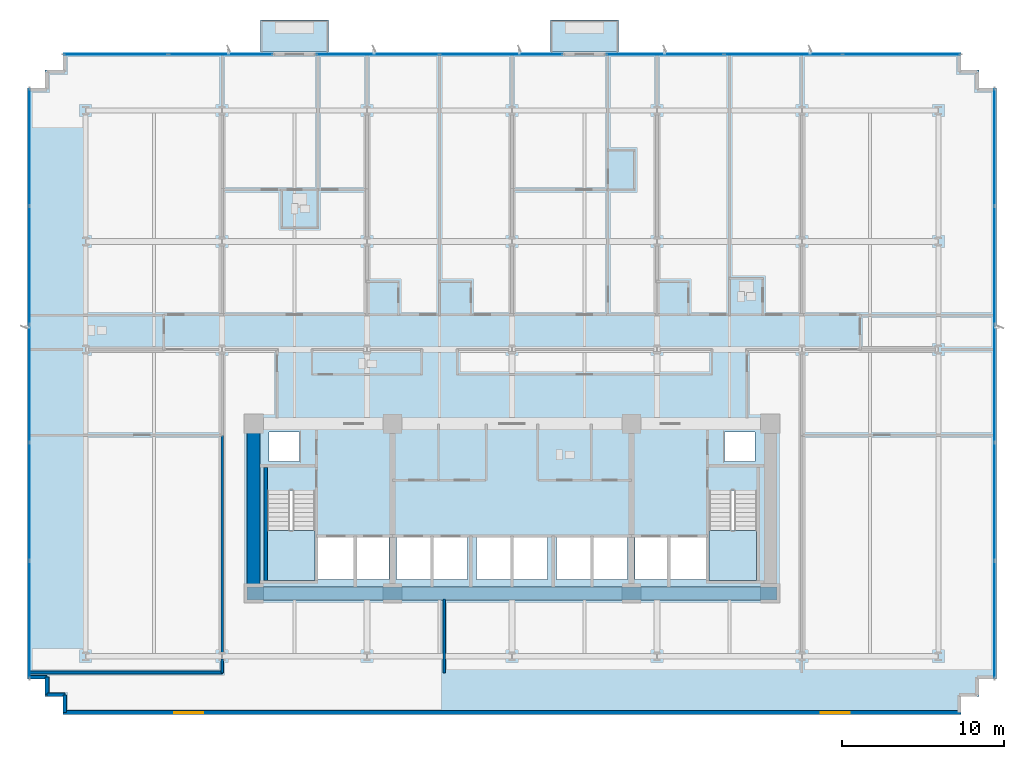
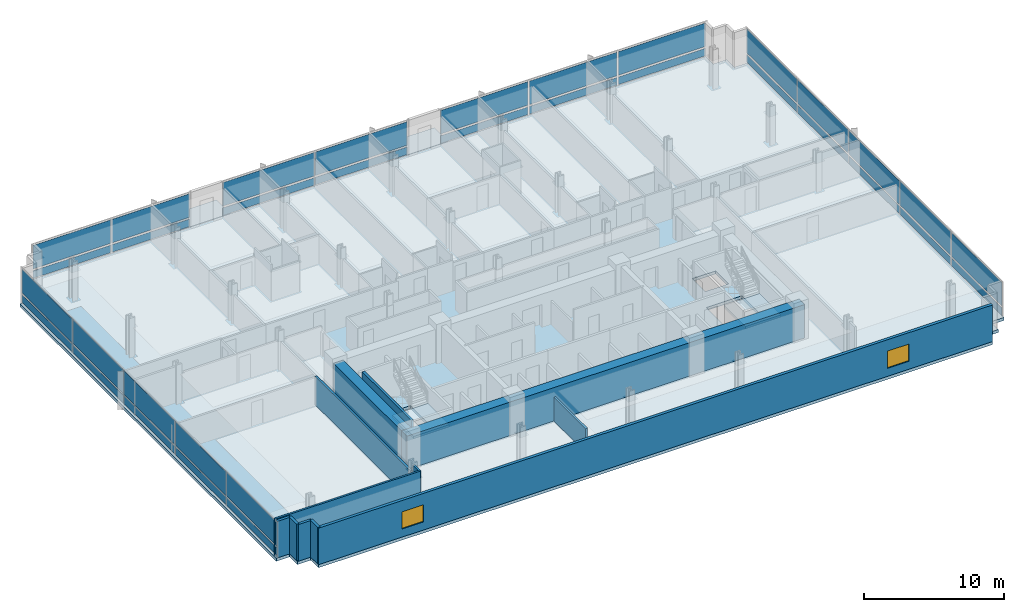
# One storey, part 7 of 15: 34 plates, 12 walls, 5 slabs, 2 windows, 2 openings, 7 elements without a shape of their own.
"""IFC4 building model written with IfcOpenShell, lengths in metres."""

from ifc_helpers import new_model, si_unit, direction, frame, frame_2d, origin, origin_2d, place, context, subcontext, project, spatial, polyline, rectangle, outline, extrude, material, layer, layer_set, type_object, element, fill, aggregate, save


model = new_model("IFC4")

# Units and contexts
model_context = context("Model", 3, precision=1e-05, world=origin(), true_north=direction((0.0, 1.0)))
body_context = subcontext(model_context, "Body", "Model", "MODEL_VIEW")
ifc_project = project(units=[si_unit("LENGTHUNIT", "METRE"), si_unit("AREAUNIT", "SQUARE_METRE"), si_unit("VOLUMEUNIT", "CUBIC_METRE"), si_unit("PLANEANGLEUNIT", "RADIAN"), si_unit("MASSUNIT", "GRAM", prefix="KILO")], contexts=[model_context])

# Site, building, storey
site_placement = place(None, origin())
site = spatial("IfcSite", under=ifc_project, at=site_placement, CompositionType="ELEMENT")
building_placement = place(site_placement, origin())
building = spatial("IfcBuilding", under=site, at=building_placement, Name="Solmavex Isthmus Hotel", CompositionType="ELEMENT")
storey_placement = place(building_placement, frame((0.0, 0.0, 64.35009765625)))
storey = spatial("IfcBuildingStorey", under=building, at=storey_placement, Name="L17", CompositionType="ELEMENT", Elevation=64.35009765625)

# Curtain wall, plates
ifc_material_1 = material(Name="Aluminium alloy 6063-T6", Category="aluminium")
curtain_wall_type = type_object("IfcCurtainWallType", Name="CW-SYS-02", PredefinedType="NOTDEFINED", material=ifc_material_1)
curtain_wall_1_placement = place(storey_placement, origin())
curtain_wall_1 = element("IfcCurtainWall", 1, at=curtain_wall_1_placement, inside=storey, type_object=curtain_wall_type, Name="Stick Curtain Wall CWL-L17-N1", PredefinedType="NOTDEFINED")
ifc_material_2 = material(Name="Clear low-E laminated glass", Category="glass")
ifc_layer_1 = layer(ifc_material_2, 0.031982421875)
ifc_layer_set_1 = layer_set([ifc_layer_1], Name="Clear low-E laminated glass")
plate_type = type_object("IfcPlateType", Name="CW-SYS-02-PNL", PredefinedType="CURTAIN_PANEL", material=ifc_layer_set_1)
plate_1_placement = place(storey_placement, frame((-24.522216796875, 20.3798828125, 0.16015625), z_axis=(0.0, 0.0, 1.0), x_axis=(1.0, 0.0, 0.0)))
plate_1 = element("IfcPlate", 2, at=plate_1_placement, type_object=plate_type, Name="CW-02 panel 1.1", PredefinedType="CURTAIN_PANEL", context=body_context, shape_type="SweptSolid", body=[
    extrude(rectangle(XDim=6.405517578125, YDim=0.031982421875, at=origin_2d()), origin(), (0.0, 0.0, 1.0), 0.659912109375),
])
plate_2_placement = place(storey_placement, frame((-24.522216796875, 20.3798828125, 0.97998046875), z_axis=(0.0, 0.0, 1.0), x_axis=(1.0, 0.0, 0.0)))
plate_2 = element("IfcPlate", 3, at=plate_2_placement, type_object=plate_type, Name="CW-02 panel 1.2", PredefinedType="CURTAIN_PANEL", context=body_context, shape_type="SweptSolid", body=[
    extrude(rectangle(XDim=6.405517578125, YDim=0.031982421875, at=origin_2d()), origin(), (0.0, 0.0, 1.0), 2.050048828125),
])
plate_3_placement = place(storey_placement, frame((-18.041748046875, 20.3798828125, 0.16015625), z_axis=(0.0, 0.0, 1.0), x_axis=(1.0, 0.0, 0.0)))
plate_3 = element("IfcPlate", 4, at=plate_3_placement, type_object=plate_type, Name="CW-02 panel 2.1", PredefinedType="CURTAIN_PANEL", context=body_context, shape_type="SweptSolid", body=[
    extrude(rectangle(XDim=6.405517578125, YDim=0.031982421875, at=origin_2d()), origin(), (0.0, 0.0, 1.0), 0.659912109375),
])
plate_4_placement = place(storey_placement, frame((-18.041748046875, 20.3798828125, 0.97998046875), z_axis=(0.0, 0.0, 1.0), x_axis=(1.0, 0.0, 0.0)))
plate_4 = element("IfcPlate", 5, at=plate_4_placement, type_object=plate_type, Name="CW-02 panel 2.2", PredefinedType="CURTAIN_PANEL", context=body_context, shape_type="SweptSolid", body=[
    extrude(rectangle(XDim=6.405517578125, YDim=0.031982421875, at=origin_2d()), origin(), (0.0, 0.0, 1.0), 2.050048828125),
])
aggregate(curtain_wall_1, [plate_1, plate_2, plate_3, plate_4])

curtain_wall_2_placement = place(storey_placement, origin())
curtain_wall_2 = element("IfcCurtainWall", 6, at=curtain_wall_2_placement, inside=storey, type_object=curtain_wall_type, Name="Stick Curtain Wall CWL-L17-N2", PredefinedType="NOTDEFINED")
plate_5_placement = place(storey_placement, frame((-8.30712890625, 20.3798828125, 0.16015625), z_axis=(0.0, 0.0, 1.0), x_axis=(1.0, 0.0, 0.0)))
plate_5 = element("IfcPlate", 7, at=plate_5_placement, type_object=plate_type, Name="CW-02 panel 1.1", PredefinedType="CURTAIN_PANEL", context=body_context, shape_type="SweptSolid", body=[
    extrude(rectangle(XDim=7.5634765625, YDim=0.031982421875, at=origin_2d()), origin(), (0.0, 0.0, 1.0), 0.659912109375),
])
plate_6_placement = place(storey_placement, frame((-8.30712890625, 20.3798828125, 0.97998046875), z_axis=(0.0, 0.0, 1.0), x_axis=(1.0, 0.0, 0.0)))
plate_6 = element("IfcPlate", 8, at=plate_6_placement, type_object=plate_type, Name="CW-02 panel 1.2", PredefinedType="CURTAIN_PANEL", context=body_context, shape_type="SweptSolid", body=[
    extrude(rectangle(XDim=7.5634765625, YDim=0.031982421875, at=origin_2d()), origin(), (0.0, 0.0, 1.0), 2.050048828125),
])
plate_7_placement = place(storey_placement, frame((-0.668701171875, 20.3798828125, 0.16015625), z_axis=(0.0, 0.0, 1.0), x_axis=(1.0, 0.0, 0.0)))
plate_7 = element("IfcPlate", 9, at=plate_7_placement, type_object=plate_type, Name="CW-02 panel 2.1", PredefinedType="CURTAIN_PANEL", context=body_context, shape_type="SweptSolid", body=[
    extrude(rectangle(XDim=7.5634765625, YDim=0.031982421875, at=origin_2d()), origin(), (0.0, 0.0, 1.0), 0.659912109375),
])
plate_8_placement = place(storey_placement, frame((-0.668701171875, 20.3798828125, 0.97998046875), z_axis=(0.0, 0.0, 1.0), x_axis=(1.0, 0.0, 0.0)))
plate_8 = element("IfcPlate", 10, at=plate_8_placement, type_object=plate_type, Name="CW-02 panel 2.2", PredefinedType="CURTAIN_PANEL", context=body_context, shape_type="SweptSolid", body=[
    extrude(rectangle(XDim=7.5634765625, YDim=0.031982421875, at=origin_2d()), origin(), (0.0, 0.0, 1.0), 2.050048828125),
])
aggregate(curtain_wall_2, [plate_5, plate_6, plate_7, plate_8])

curtain_wall_3_placement = place(storey_placement, origin())
curtain_wall_3 = element("IfcCurtainWall", 11, at=curtain_wall_3_placement, inside=storey, type_object=curtain_wall_type, Name="Stick Curtain Wall CWL-L17-N3", PredefinedType="NOTDEFINED")
plate_9_placement = place(storey_placement, frame((9.475341796875, 20.3798828125, 0.16015625), z_axis=(0.0, 0.0, 1.0), x_axis=(1.0, 0.0, 0.0)))
plate_9 = element("IfcPlate", 12, at=plate_9_placement, type_object=plate_type, Name="CW-02 panel 1.1", PredefinedType="CURTAIN_PANEL", context=body_context, shape_type="SweptSolid", body=[
    extrude(rectangle(XDim=7.224853515625, YDim=0.031982421875, at=origin_2d()), origin(), (0.0, 0.0, 1.0), 0.659912109375),
])
plate_10_placement = place(storey_placement, frame((9.475341796875, 20.3798828125, 0.97998046875), z_axis=(0.0, 0.0, 1.0), x_axis=(1.0, 0.0, 0.0)))
plate_10 = element("IfcPlate", 13, at=plate_10_placement, type_object=plate_type, Name="CW-02 panel 1.2", PredefinedType="CURTAIN_PANEL", context=body_context, shape_type="SweptSolid", body=[
    extrude(rectangle(XDim=7.224853515625, YDim=0.031982421875, at=origin_2d()), origin(), (0.0, 0.0, 1.0), 2.050048828125),
])
plate_11_placement = place(storey_placement, frame((16.7939453125, 20.3798828125, 0.16015625), z_axis=(0.0, 0.0, 1.0), x_axis=(1.0, 0.0, 0.0)))
plate_11 = element("IfcPlate", 14, at=plate_11_placement, type_object=plate_type, Name="CW-02 panel 2.1", PredefinedType="CURTAIN_PANEL", context=body_context, shape_type="SweptSolid", body=[
    extrude(rectangle(XDim=7.262451171875, YDim=0.031982421875, at=origin_2d()), origin(), (0.0, 0.0, 1.0), 0.659912109375),
])
plate_12_placement = place(storey_placement, frame((16.7939453125, 20.3798828125, 0.97998046875), z_axis=(0.0, 0.0, 1.0), x_axis=(1.0, 0.0, 0.0)))
plate_12 = element("IfcPlate", 15, at=plate_12_placement, type_object=plate_type, Name="CW-02 panel 2.2", PredefinedType="CURTAIN_PANEL", context=body_context, shape_type="SweptSolid", body=[
    extrude(rectangle(XDim=7.262451171875, YDim=0.031982421875, at=origin_2d()), origin(), (0.0, 0.0, 1.0), 2.050048828125),
])
plate_13_placement = place(storey_placement, frame((24.112548828125, 20.3798828125, 0.16015625), z_axis=(0.0, 0.0, 1.0), x_axis=(1.0, 0.0, 0.0)))
plate_13 = element("IfcPlate", 16, at=plate_13_placement, type_object=plate_type, Name="CW-02 panel 3.1", PredefinedType="CURTAIN_PANEL", context=body_context, shape_type="SweptSolid", body=[
    extrude(rectangle(XDim=7.224853515625, YDim=0.031982421875, at=origin_2d()), origin(), (0.0, 0.0, 1.0), 0.659912109375),
])
plate_14_placement = place(storey_placement, frame((24.112548828125, 20.3798828125, 0.97998046875), z_axis=(0.0, 0.0, 1.0), x_axis=(1.0, 0.0, 0.0)))
plate_14 = element("IfcPlate", 17, at=plate_14_placement, type_object=plate_type, Name="CW-02 panel 3.2", PredefinedType="CURTAIN_PANEL", context=body_context, shape_type="SweptSolid", body=[
    extrude(rectangle(XDim=7.224853515625, YDim=0.031982421875, at=origin_2d()), origin(), (0.0, 0.0, 1.0), 2.050048828125),
])
aggregate(curtain_wall_3, [plate_9, plate_10, plate_11, plate_12, plate_13, plate_14])

curtain_wall_4_placement = place(storey_placement, origin())
curtain_wall_4 = element("IfcCurtainWall", 18, at=curtain_wall_4_placement, inside=storey, type_object=curtain_wall_type, Name="Stick Curtain Wall CWL-L17-W1", PredefinedType="NOTDEFINED")
plate_15_placement = place(storey_placement, frame((-29.8798828125, -14.621337890625, 0.16015625), z_axis=(0.0, 0.0, 1.0), x_axis=(0.0, 1.0, 0.0)))
plate_15 = element("IfcPlate", 19, at=plate_15_placement, type_object=plate_type, Name="CW-02 panel 1.1", PredefinedType="CURTAIN_PANEL", context=body_context, shape_type="SweptSolid", body=[
    extrude(rectangle(XDim=7.20751953125, YDim=0.031982421875, at=origin_2d()), origin(), (0.0, 0.0, 1.0), 0.659912109375),
])
plate_16_placement = place(storey_placement, frame((-29.8798828125, -14.621337890625, 0.97998046875), z_axis=(0.0, 0.0, 1.0), x_axis=(0.0, 1.0, 0.0)))
plate_16 = element("IfcPlate", 20, at=plate_16_placement, type_object=plate_type, Name="CW-02 panel 1.2", PredefinedType="CURTAIN_PANEL", context=body_context, shape_type="SweptSolid", body=[
    extrude(rectangle(XDim=7.20751953125, YDim=0.031982421875, at=origin_2d()), origin(), (0.0, 0.0, 1.0), 2.050048828125),
])
plate_17_placement = place(storey_placement, frame((-29.8798828125, -7.320068359375, 0.16015625), z_axis=(0.0, 0.0, 1.0), x_axis=(0.0, 1.0, 0.0)))
plate_17 = element("IfcPlate", 21, at=plate_17_placement, type_object=plate_type, Name="CW-02 panel 2.1", PredefinedType="CURTAIN_PANEL", context=body_context, shape_type="SweptSolid", body=[
    extrude(rectangle(XDim=7.2451171875, YDim=0.031982421875, at=origin_2d()), origin(), (0.0, 0.0, 1.0), 0.659912109375),
])
plate_18_placement = place(storey_placement, frame((-29.8798828125, -7.320068359375, 0.97998046875), z_axis=(0.0, 0.0, 1.0), x_axis=(0.0, 1.0, 0.0)))
plate_18 = element("IfcPlate", 22, at=plate_18_placement, type_object=plate_type, Name="CW-02 panel 2.2", PredefinedType="CURTAIN_PANEL", context=body_context, shape_type="SweptSolid", body=[
    extrude(rectangle(XDim=7.2451171875, YDim=0.031982421875, at=origin_2d()), origin(), (0.0, 0.0, 1.0), 2.050048828125),
])
plate_19_placement = place(storey_placement, frame((-29.8798828125, 0.0, 0.16015625), z_axis=(0.0, 0.0, 1.0), x_axis=(0.0, 1.0, 0.0)))
plate_19 = element("IfcPlate", 23, at=plate_19_placement, type_object=plate_type, Name="CW-02 panel 3.1", PredefinedType="CURTAIN_PANEL", context=body_context, shape_type="SweptSolid", body=[
    extrude(rectangle(XDim=7.2451171875, YDim=0.031982421875, at=origin_2d()), origin(), (0.0, 0.0, 1.0), 0.659912109375),
])
plate_20_placement = place(storey_placement, frame((-29.8798828125, 0.0, 0.97998046875), z_axis=(0.0, 0.0, 1.0), x_axis=(0.0, 1.0, 0.0)))
plate_20 = element("IfcPlate", 24, at=plate_20_placement, type_object=plate_type, Name="CW-02 panel 3.2", PredefinedType="CURTAIN_PANEL", context=body_context, shape_type="SweptSolid", body=[
    extrude(rectangle(XDim=7.2451171875, YDim=0.031982421875, at=origin_2d()), origin(), (0.0, 0.0, 1.0), 2.050048828125),
])
plate_21_placement = place(storey_placement, frame((-29.8798828125, 7.320068359375, 0.16015625), z_axis=(0.0, 0.0, 1.0), x_axis=(0.0, 1.0, 0.0)))
plate_21 = element("IfcPlate", 25, at=plate_21_placement, type_object=plate_type, Name="CW-02 panel 4.1", PredefinedType="CURTAIN_PANEL", context=body_context, shape_type="SweptSolid", body=[
    extrude(rectangle(XDim=7.2451171875, YDim=0.031982421875, at=origin_2d()), origin(), (0.0, 0.0, 1.0), 0.659912109375),
])
plate_22_placement = place(storey_placement, frame((-29.8798828125, 7.320068359375, 0.97998046875), z_axis=(0.0, 0.0, 1.0), x_axis=(0.0, 1.0, 0.0)))
plate_22 = element("IfcPlate", 26, at=plate_22_placement, type_object=plate_type, Name="CW-02 panel 4.2", PredefinedType="CURTAIN_PANEL", context=body_context, shape_type="SweptSolid", body=[
    extrude(rectangle(XDim=7.2451171875, YDim=0.031982421875, at=origin_2d()), origin(), (0.0, 0.0, 1.0), 2.050048828125),
])
plate_23_placement = place(storey_placement, frame((-29.8798828125, 14.621337890625, 0.16015625), z_axis=(0.0, 0.0, 1.0), x_axis=(0.0, 1.0, 0.0)))
plate_23 = element("IfcPlate", 27, at=plate_23_placement, type_object=plate_type, Name="CW-02 panel 5.1", PredefinedType="CURTAIN_PANEL", context=body_context, shape_type="SweptSolid", body=[
    extrude(rectangle(XDim=7.20751953125, YDim=0.031982421875, at=origin_2d()), origin(), (0.0, 0.0, 1.0), 0.659912109375),
])
plate_24_placement = place(storey_placement, frame((-29.8798828125, 14.621337890625, 0.97998046875), z_axis=(0.0, 0.0, 1.0), x_axis=(0.0, 1.0, 0.0)))
plate_24 = element("IfcPlate", 28, at=plate_24_placement, type_object=plate_type, Name="CW-02 panel 5.2", PredefinedType="CURTAIN_PANEL", context=body_context, shape_type="SweptSolid", body=[
    extrude(rectangle(XDim=7.20751953125, YDim=0.031982421875, at=origin_2d()), origin(), (0.0, 0.0, 1.0), 2.050048828125),
])
aggregate(curtain_wall_4, [plate_15, plate_16, plate_17, plate_18, plate_19, plate_20, plate_21, plate_22, plate_23, plate_24])

curtain_wall_5_placement = place(storey_placement, origin())
curtain_wall_5 = element("IfcCurtainWall", 29, at=curtain_wall_5_placement, inside=storey, type_object=curtain_wall_type, Name="Stick Curtain Wall CWL-L17-E1", PredefinedType="NOTDEFINED")
plate_25_placement = place(storey_placement, frame((29.8798828125, -14.621337890625, 0.16015625), z_axis=(0.0, 0.0, 1.0), x_axis=(0.0, 1.0, 0.0)))
plate_25 = element("IfcPlate", 30, at=plate_25_placement, type_object=plate_type, Name="CW-02 panel 1.1", PredefinedType="CURTAIN_PANEL", context=body_context, shape_type="SweptSolid", body=[
    extrude(rectangle(XDim=7.20751953125, YDim=0.031982421875, at=origin_2d()), origin(), (0.0, 0.0, 1.0), 0.659912109375),
])
plate_26_placement = place(storey_placement, frame((29.8798828125, -14.621337890625, 0.97998046875), z_axis=(0.0, 0.0, 1.0), x_axis=(0.0, 1.0, 0.0)))
plate_26 = element("IfcPlate", 31, at=plate_26_placement, type_object=plate_type, Name="CW-02 panel 1.2", PredefinedType="CURTAIN_PANEL", context=body_context, shape_type="SweptSolid", body=[
    extrude(rectangle(XDim=7.20751953125, YDim=0.031982421875, at=origin_2d()), origin(), (0.0, 0.0, 1.0), 2.050048828125),
])
plate_27_placement = place(storey_placement, frame((29.8798828125, -7.320068359375, 0.16015625), z_axis=(0.0, 0.0, 1.0), x_axis=(0.0, 1.0, 0.0)))
plate_27 = element("IfcPlate", 32, at=plate_27_placement, type_object=plate_type, Name="CW-02 panel 2.1", PredefinedType="CURTAIN_PANEL", context=body_context, shape_type="SweptSolid", body=[
    extrude(rectangle(XDim=7.2451171875, YDim=0.031982421875, at=origin_2d()), origin(), (0.0, 0.0, 1.0), 0.659912109375),
])
plate_28_placement = place(storey_placement, frame((29.8798828125, -7.320068359375, 0.97998046875), z_axis=(0.0, 0.0, 1.0), x_axis=(0.0, 1.0, 0.0)))
plate_28 = element("IfcPlate", 33, at=plate_28_placement, type_object=plate_type, Name="CW-02 panel 2.2", PredefinedType="CURTAIN_PANEL", context=body_context, shape_type="SweptSolid", body=[
    extrude(rectangle(XDim=7.2451171875, YDim=0.031982421875, at=origin_2d()), origin(), (0.0, 0.0, 1.0), 2.050048828125),
])
plate_29_placement = place(storey_placement, frame((29.8798828125, 0.0, 0.16015625), z_axis=(0.0, 0.0, 1.0), x_axis=(0.0, 1.0, 0.0)))
plate_29 = element("IfcPlate", 34, at=plate_29_placement, type_object=plate_type, Name="CW-02 panel 3.1", PredefinedType="CURTAIN_PANEL", context=body_context, shape_type="SweptSolid", body=[
    extrude(rectangle(XDim=7.2451171875, YDim=0.031982421875, at=origin_2d()), origin(), (0.0, 0.0, 1.0), 0.659912109375),
])
plate_30_placement = place(storey_placement, frame((29.8798828125, 0.0, 0.97998046875), z_axis=(0.0, 0.0, 1.0), x_axis=(0.0, 1.0, 0.0)))
plate_30 = element("IfcPlate", 35, at=plate_30_placement, type_object=plate_type, Name="CW-02 panel 3.2", PredefinedType="CURTAIN_PANEL", context=body_context, shape_type="SweptSolid", body=[
    extrude(rectangle(XDim=7.2451171875, YDim=0.031982421875, at=origin_2d()), origin(), (0.0, 0.0, 1.0), 2.050048828125),
])
plate_31_placement = place(storey_placement, frame((29.8798828125, 7.320068359375, 0.16015625), z_axis=(0.0, 0.0, 1.0), x_axis=(0.0, 1.0, 0.0)))
plate_31 = element("IfcPlate", 36, at=plate_31_placement, type_object=plate_type, Name="CW-02 panel 4.1", PredefinedType="CURTAIN_PANEL", context=body_context, shape_type="SweptSolid", body=[
    extrude(rectangle(XDim=7.2451171875, YDim=0.031982421875, at=origin_2d()), origin(), (0.0, 0.0, 1.0), 0.659912109375),
])
plate_32_placement = place(storey_placement, frame((29.8798828125, 7.320068359375, 0.97998046875), z_axis=(0.0, 0.0, 1.0), x_axis=(0.0, 1.0, 0.0)))
plate_32 = element("IfcPlate", 37, at=plate_32_placement, type_object=plate_type, Name="CW-02 panel 4.2", PredefinedType="CURTAIN_PANEL", context=body_context, shape_type="SweptSolid", body=[
    extrude(rectangle(XDim=7.2451171875, YDim=0.031982421875, at=origin_2d()), origin(), (0.0, 0.0, 1.0), 2.050048828125),
])
plate_33_placement = place(storey_placement, frame((29.8798828125, 14.621337890625, 0.16015625), z_axis=(0.0, 0.0, 1.0), x_axis=(0.0, 1.0, 0.0)))
plate_33 = element("IfcPlate", 38, at=plate_33_placement, type_object=plate_type, Name="CW-02 panel 5.1", PredefinedType="CURTAIN_PANEL", context=body_context, shape_type="SweptSolid", body=[
    extrude(rectangle(XDim=7.20751953125, YDim=0.031982421875, at=origin_2d()), origin(), (0.0, 0.0, 1.0), 0.659912109375),
])
plate_34_placement = place(storey_placement, frame((29.8798828125, 14.621337890625, 0.97998046875), z_axis=(0.0, 0.0, 1.0), x_axis=(0.0, 1.0, 0.0)))
plate_34 = element("IfcPlate", 39, at=plate_34_placement, type_object=plate_type, Name="CW-02 panel 5.2", PredefinedType="CURTAIN_PANEL", context=body_context, shape_type="SweptSolid", body=[
    extrude(rectangle(XDim=7.20751953125, YDim=0.031982421875, at=origin_2d()), origin(), (0.0, 0.0, 1.0), 2.050048828125),
])
aggregate(curtain_wall_5, [plate_25, plate_26, plate_27, plate_28, plate_29, plate_30, plate_31, plate_32, plate_33, plate_34])

# Slabs
ifc_material_3 = material(Name="Concrete C40/50", Category="concrete")
ifc_layer_2 = layer(ifc_material_3, 0.239990234375)
ifc_layer_set_2 = layer_set([ifc_layer_2], Name="Concrete C40/50")
slab_type_1 = type_object("IfcSlabType", Name="SLAB-BALC-240", PredefinedType="FLOOR", material=ifc_layer_set_2)
slab_1_placement = place(storey_placement, frame((0.0, 0.0, -0.239990234375)))
element("IfcSlab", 40, at=slab_1_placement, inside=storey, type_object=slab_type_1, Name="Tree-Planter Balcony Slab L17-B1", PredefinedType="FLOOR", context=body_context, shape_type="SweptSolid", body=[
    extrude(outline(polyline([(-15.56396484375, 20.514892578125), (-11.364013671875, 20.514892578125), (-11.364013671875, 22.5), (-15.56396484375, 22.5), (-15.56396484375, 20.514892578125)])), origin(), (0.0, 0.0, 1.0), 0.239990234375),
])
slab_2_placement = place(storey_placement, frame((0.0, 0.0, -0.239990234375)))
element("IfcSlab", 41, at=slab_2_placement, inside=storey, type_object=slab_type_1, Name="Tree-Planter Balcony Slab L17-B2", PredefinedType="FLOOR", context=body_context, shape_type="SweptSolid", body=[
    extrude(outline(polyline([(2.387939453125, 20.514892578125), (6.587890625, 20.514892578125), (6.587890625, 22.5), (2.387939453125, 22.5), (2.387939453125, 20.514892578125)])), origin(), (0.0, 0.0, 1.0), 0.239990234375),
])
ifc_layer_3 = layer(ifc_material_3, 0.260009765625)
ifc_layer_set_3 = layer_set([ifc_layer_3], Name="Concrete C40/50")
slab_type_2 = type_object("IfcSlabType", Name="SLAB-TYP-260", PredefinedType="FLOOR", material=ifc_layer_set_3)
slab_3_placement = place(storey_placement, frame((0.0, 0.0, -0.260009765625)))
element("IfcSlab", 42, at=slab_3_placement, inside=storey, type_object=slab_type_2, Name="Tower Structural Floor Slab L17", PredefinedType="FLOOR", context=body_context, shape_type="SweptSolid", body=[
    extrude(outline(polyline([(-26.699951171875, -20.5), (26.699951171875, -20.5), (27.800048828125, -20.5), (27.800048828125, -19.39990234375), (28.89990234375, -19.39990234375), (28.89990234375, -18.300048828125), (30.0, -18.300048828125), (30.0, -17.199951171875), (30.0, 17.199951171875), (30.0, 18.300048828125), (28.89990234375, 18.300048828125), (28.89990234375, 19.39990234375), (27.800048828125, 19.39990234375), (27.800048828125, 20.5), (26.699951171875, 20.5), (-26.699951171875, 20.5), (-27.800048828125, 20.5), (-27.800048828125, 19.39990234375), (-28.89990234375, 19.39990234375), (-28.89990234375, 18.300048828125), (-30.0, 18.300048828125), (-30.0, 17.199951171875), (-30.0, -17.199951171875), (-30.0, -18.300048828125), (-28.89990234375, -18.300048828125), (-28.89990234375, -19.39990234375), (-27.800048828125, -19.39990234375), (-27.800048828125, -20.5), (-26.699951171875, -20.5)]), holes=[polyline([(-15.14990234375, -6.617919921875), (-15.14990234375, -12.199951171875), (-12.199951171875, -12.199951171875), (-12.199951171875, -6.617919921875), (-15.14990234375, -6.617919921875)]), polyline([(12.199951171875, -6.617919921875), (12.199951171875, -12.199951171875), (15.14990234375, -12.199951171875), (15.14990234375, -6.617919921875), (12.199951171875, -6.617919921875)]), polyline([(-12.0, -12.14990234375), (-9.800048828125, -12.14990234375), (-9.800048828125, -9.550048828125), (-12.0, -9.550048828125), (-12.0, -12.14990234375)]), polyline([(9.800048828125, -12.14990234375), (12.0, -12.14990234375), (12.0, -9.550048828125), (9.800048828125, -9.550048828125), (9.800048828125, -12.14990234375)]), polyline([(-9.60009765625, -12.14990234375), (-7.60009765625, -12.14990234375), (-7.60009765625, -9.550048828125), (-9.60009765625, -9.550048828125), (-9.60009765625, -12.14990234375)]), polyline([(7.60009765625, -12.14990234375), (9.60009765625, -12.14990234375), (9.60009765625, -9.550048828125), (7.60009765625, -9.550048828125), (7.60009765625, -12.14990234375)]), polyline([(-7.14990234375, -12.14990234375), (-5.050048828125, -12.14990234375), (-5.050048828125, -9.550048828125), (-7.14990234375, -9.550048828125), (-7.14990234375, -12.14990234375)]), polyline([(-4.85009765625, -12.14990234375), (-2.75, -12.14990234375), (-2.75, -9.550048828125), (-4.85009765625, -9.550048828125), (-4.85009765625, -12.14990234375)]), polyline([(-2.199951171875, -12.14990234375), (-0.10009765625, -12.14990234375), (-0.10009765625, -9.550048828125), (-2.199951171875, -9.550048828125), (-2.199951171875, -12.14990234375)]), polyline([(0.10009765625, -12.14990234375), (2.199951171875, -12.14990234375), (2.199951171875, -9.550048828125), (0.10009765625, -9.550048828125), (0.10009765625, -12.14990234375)]), polyline([(2.75, -12.14990234375), (4.85009765625, -12.14990234375), (4.85009765625, -9.550048828125), (2.75, -9.550048828125), (2.75, -12.14990234375)]), polyline([(5.050048828125, -12.14990234375), (7.14990234375, -12.14990234375), (7.14990234375, -9.550048828125), (5.050048828125, -9.550048828125), (5.050048828125, -12.14990234375)]), polyline([(-15.050048828125, -4.85009765625), (-13.14990234375, -4.85009765625), (-13.14990234375, -3.0), (-15.050048828125, -3.0), (-15.050048828125, -4.85009765625)]), polyline([(13.14990234375, -4.85009765625), (15.050048828125, -4.85009765625), (15.050048828125, -3.0), (13.14990234375, -3.0), (13.14990234375, -4.85009765625)])]), origin(), (0.0, 0.0, 1.0), 0.260009765625),
])

# Stair, slab
stair_type_1 = type_object("IfcStairType", Name="STR-ST-1", PredefinedType="HALF_TURN_STAIR", material=ifc_material_3)
stair_1_placement = place(storey_placement, origin())
stair_1 = element("IfcStair", 43, at=stair_1_placement, inside=storey, type_object=stair_type_1, Name="L17 Protected Exit Stair ST-1", PredefinedType="HALF_TURN_STAIR")
ifc_layer_4 = layer(ifc_material_3, 0.219970703125)
ifc_layer_set_4 = layer_set([ifc_layer_4], Name="Concrete C40/50")
slab_type_3 = type_object("IfcSlabType", Name="SLD-ST-1", PredefinedType="LANDING", material=ifc_layer_set_4)
slab_4_placement = place(storey_placement, frame((0.0, 0.0, 1.52490234375)))
slab_4 = element("IfcSlab", 44, at=slab_4_placement, type_object=slab_type_3, Name="ST-1 landing 1", PredefinedType="LANDING", context=body_context, shape_type="SweptSolid", body=[
    extrude(outline(polyline([(-15.14990234375, -9.1201171875), (-15.14990234375, -12.199951171875), (-12.199951171875, -12.199951171875), (-12.199951171875, -9.1201171875), (-15.14990234375, -9.1201171875)])), origin(), (0.0, 0.0, 1.0), 0.199951171875),
])
aggregate(stair_1, [slab_4])

stair_type_2 = type_object("IfcStairType", Name="STR-ST-2", PredefinedType="HALF_TURN_STAIR", material=ifc_material_3)
stair_2_placement = place(storey_placement, origin())
stair_2 = element("IfcStair", 45, at=stair_2_placement, inside=storey, type_object=stair_type_2, Name="L17 Protected Exit Stair ST-2", PredefinedType="HALF_TURN_STAIR")
ifc_layer_5 = layer(ifc_material_3, 0.219970703125)
ifc_layer_set_5 = layer_set([ifc_layer_5], Name="Concrete C40/50")
slab_type_4 = type_object("IfcSlabType", Name="SLD-ST-2", PredefinedType="LANDING", material=ifc_layer_set_5)
slab_5_placement = place(storey_placement, frame((0.0, 0.0, 1.52490234375)))
slab_5 = element("IfcSlab", 46, at=slab_5_placement, type_object=slab_type_4, Name="ST-2 landing 1", PredefinedType="LANDING", context=body_context, shape_type="SweptSolid", body=[
    extrude(outline(polyline([(12.199951171875, -9.1201171875), (12.199951171875, -12.199951171875), (15.14990234375, -12.199951171875), (15.14990234375, -9.1201171875), (12.199951171875, -9.1201171875)])), origin(), (0.0, 0.0, 1.0), 0.199951171875),
])
aggregate(stair_2, [slab_5])

# Wall, openings, windows
ifc_material_4 = material(Name="Precast Concrete C40/50", Category="concrete")
ifc_layer_6 = layer(ifc_material_4, 0.25)
ifc_layer_set_6 = layer_set([ifc_layer_6], Name="Precast Concrete C40/50")
wall_type_1 = type_object("IfcWallType", Name="EW-TWR-250", PredefinedType="STANDARD", material=ifc_layer_set_6)
wall_1_placement = place(storey_placement, frame((-27.800048828125, -20.3798828125, 0.0), z_axis=(0.0, 0.0, 1.0), x_axis=(1.0, 0.0, 0.0)))
wall_1 = element("IfcWall", 47, at=wall_1_placement, inside=storey, type_object=wall_type_1, Name="Tower Rear South Facade Wall L17", PredefinedType="STANDARD", context=body_context, shape_type="SweptSolid", body=[
    extrude(rectangle(XDim=55.60009765625, YDim=0.239990234375, at=frame_2d((27.800048828125, 0.0))), origin(), (0.0, 0.0, 1.0), 3.18994140625),
])
opening_1_placement = place(wall_1_placement, frame((6.884033203125, 0.0, 0.699951171875)))
opening_1 = element("IfcOpeningElement", 48, at=opening_1_placement, cuts=wall_1, Name="Opening WN-02", PredefinedType="OPENING", context=body_context, shape_type="SweptSolid", body=[
    extrude(rectangle(XDim=1.800048828125, YDim=1.5, at=frame_2d((0.89990234375, 0.75))), frame((0.0, 0.1298828125, 0.0), z_axis=(0.0, -1.0, 0.0), x_axis=(1.0, 0.0, 0.0)), (0.0, 0.0, 1.0), 0.260009765625),
])
opening_2_placement = place(wall_1_placement, frame((46.916015625, 0.0, 0.699951171875)))
opening_2 = element("IfcOpeningElement", 49, at=opening_2_placement, cuts=wall_1, Name="Opening WN-02", PredefinedType="OPENING", context=body_context, shape_type="SweptSolid", body=[
    extrude(rectangle(XDim=1.800048828125, YDim=1.5, at=frame_2d((0.89990234375, 0.75))), frame((0.0, 0.1298828125, 0.0), z_axis=(0.0, -1.0, 0.0), x_axis=(1.0, 0.0, 0.0)), (0.0, 0.0, 1.0), 0.260009765625),
])
window_type = type_object("IfcWindowType", Name="WIN-TWR-1800", PartitioningType="SINGLE_PANEL", PredefinedType="WINDOW", material=ifc_material_2)
window_1_placement = place(opening_1_placement, origin())
window_1 = element("IfcWindow", 50, at=window_1_placement, inside=storey, type_object=window_type, Name="South Facade Vision Window L17-S1", OverallHeight=1.5, OverallWidth=1.800048828125, PartitioningType="SINGLE_PANEL", PredefinedType="WINDOW", context=body_context, shape_type="SweptSolid", body=[
    extrude(rectangle(XDim=1.800048828125, YDim=1.5, at=frame_2d((0.89990234375, 0.75))), frame((0.0, 0.030029296875, 0.0), z_axis=(0.0, -1.0, 0.0), x_axis=(1.0, 0.0, 0.0)), (0.0, 0.0, 1.0), 0.06005859375),
])
fill(opening_1, window_1)
window_2_placement = place(opening_2_placement, origin())
window_2 = element("IfcWindow", 51, at=window_2_placement, inside=storey, type_object=window_type, Name="South Facade Vision Window L17-S2", OverallHeight=1.5, OverallWidth=1.800048828125, PartitioningType="SINGLE_PANEL", PredefinedType="WINDOW", context=body_context, shape_type="SweptSolid", body=[
    extrude(rectangle(XDim=1.800048828125, YDim=1.5, at=frame_2d((0.89990234375, 0.75))), frame((0.0, 0.030029296875, 0.0), z_axis=(0.0, -1.0, 0.0), x_axis=(1.0, 0.0, 0.0)), (0.0, 0.0, 1.0), 0.06005859375),
])
fill(opening_2, window_2)

# Walls
wall_2_placement = place(storey_placement, frame((-27.68994140625, -20.389892578125, 0.0), z_axis=(0.0, 0.0, 1.0), x_axis=(0.0, 1.0, 0.0)))
element("IfcWall", 52, at=wall_2_placement, inside=storey, type_object=wall_type_1, Name="Serrated Corner Facade Panel L17-01", PredefinedType="STANDARD", context=body_context, shape_type="SweptSolid", body=[
    extrude(rectangle(XDim=1.099853515625, YDim=0.219970703125, at=frame_2d((0.5498046875, 0.0))), origin(), (0.0, 0.0, 1.0), 3.18994140625),
])
for number, where, z_axis, x_axis, name in (
    (53, (-27.68994140625, -19.2900390625, 0.0), (0.0, 0.0, 1.0), (-1.0, 0.0, 0.0), "Serrated Corner Facade Panel L17-02"),
    (54, (-28.7900390625, -19.2900390625, 0.0), (0.0, 0.0, 1.0), (0.0, 1.0, 0.0), "Serrated Corner Facade Panel L17-03"),
):
    element("IfcWall", number, at=place(storey_placement, frame(where, z_axis=z_axis, x_axis=x_axis)), inside=storey, type_object=wall_type_1, Name=name, PredefinedType="STANDARD", context=body_context, shape_type="SweptSolid", body=[
        extrude(rectangle(XDim=1.10009765625, YDim=0.219970703125, at=frame_2d((0.550048828125, 0.0))), origin(), (0.0, 0.0, 1.0), 3.18994140625),
    ])
wall_3_placement = place(storey_placement, frame((-28.7900390625, -18.18994140625, 0.0), z_axis=(0.0, 0.0, 1.0), x_axis=(-1.0, 0.0, 0.0)))
element("IfcWall", 55, at=wall_3_placement, inside=storey, type_object=wall_type_1, Name="Serrated Corner Facade Panel L17-04", PredefinedType="STANDARD", context=body_context, shape_type="SweptSolid", body=[
    extrude(rectangle(XDim=1.099853515625, YDim=0.219970703125, at=frame_2d((0.5498046875, 0.0))), origin(), (0.0, 0.0, 1.0), 3.18994140625),
])
ifc_material_5 = material(Name="Gypsum plasterboard lining", Category="gypsum")
ifc_layer_7 = layer(ifc_material_5, 0.159912109375)
ifc_layer_set_7 = layer_set([ifc_layer_7], Name="Gypsum plasterboard lining")
wall_type_2 = type_object("IfcWallType", Name="IW-COMP-160", PredefinedType="PARTITIONING", material=ifc_layer_set_7)
wall_4_placement = place(storey_placement, frame((-4.199951171875, -17.93994140625, 0.0), z_axis=(0.0, 0.0, 1.0), x_axis=(0.0, 1.0, 0.0)))
element("IfcWall", 56, at=wall_4_placement, inside=storey, type_object=wall_type_2, Name="Interior Partition Wall W-L17-P092", PredefinedType="PARTITIONING", context=body_context, shape_type="SweptSolid", body=[
    extrude(rectangle(XDim=4.579833984375, YDim=0.159912109375, at=frame_2d((2.2900390625, 0.0))), origin(), (0.0, 0.0, 1.0), 2.074951171875),
])
wall_5_placement = place(storey_placement, frame((-29.919921875, -17.89990234375, 0.0), z_axis=(0.0, 0.0, 1.0), x_axis=(1.0, 0.0, 0.0)))
element("IfcWall", 57, at=wall_5_placement, inside=storey, type_object=wall_type_2, Name="Interior Partition Wall W-L17-P095", PredefinedType="PARTITIONING", context=body_context, shape_type="SweptSolid", body=[
    extrude(rectangle(XDim=12.0078125, YDim=0.159912109375, at=frame_2d((6.00390625, 0.0))), origin(), (0.0, 0.0, 1.0), 3.18994140625),
])
wall_6_placement = place(storey_placement, frame((-17.951904296875, -17.93994140625, 0.0), z_axis=(0.0, 0.0, 1.0), x_axis=(0.0, 1.0, 0.0)))
element("IfcWall", 58, at=wall_6_placement, inside=storey, type_object=wall_type_2, Name="Interior Partition Wall W-L17-P096", PredefinedType="PARTITIONING", context=body_context, shape_type="SweptSolid", body=[
    extrude(rectangle(XDim=0.864990234375, YDim=0.159912109375, at=frame_2d((0.4326171875, 0.0))), origin(), (0.0, 0.0, 1.0), 3.18994140625),
])
wall_7_placement = place(storey_placement, frame((-17.951904296875, -16.72509765625, 0.0), z_axis=(0.0, 0.0, 1.0), x_axis=(0.0, 1.0, 0.0)))
element("IfcWall", 59, at=wall_7_placement, inside=storey, type_object=wall_type_2, Name="Interior Partition Wall W-L17-P097", PredefinedType="PARTITIONING", context=body_context, shape_type="SweptSolid", body=[
    extrude(rectangle(XDim=13.607177734375, YDim=0.159912109375, at=frame_2d((6.8037109375, 0.0))), origin(), (0.0, 0.0, 1.0), 2.4794921875),
])
ifc_material_6 = material(Name="Concrete C70/85", Category="concrete")
ifc_layer_8 = layer(ifc_material_6, 0.800048828125)
ifc_layer_set_8 = layer_set([ifc_layer_8], Name="Concrete C70/85")
wall_type_3 = type_object("IfcWallType", Name="WALL-CW-800", PredefinedType="SHEAR", material=ifc_layer_set_8)
wall_8_placement = place(storey_placement, frame((-16.39990234375, -13.0, 0.0), z_axis=(0.0, 0.0, 1.0), x_axis=(1.0, 0.0, 0.0)))
element("IfcWall", 60, at=wall_8_placement, inside=storey, type_object=wall_type_3, Name="Core Shear Wall South L17", PredefinedType="SHEAR", context=body_context, shape_type="SweptSolid", body=[
    extrude(rectangle(XDim=32.7998046875, YDim=0.800048828125, at=frame_2d((16.39990234375, 0.0))), origin(), (0.0, 0.0, 1.0), 2.909912109375),
])
wall_9_placement = place(storey_placement, frame((-16.0, -12.60009765625, 0.0), z_axis=(0.0, 0.0, 1.0), x_axis=(0.0, 1.0, 0.0)))
element("IfcWall", 61, at=wall_9_placement, inside=storey, type_object=wall_type_3, Name="Core Shear Wall West L17", PredefinedType="SHEAR", context=body_context, shape_type="SweptSolid", body=[
    extrude(rectangle(XDim=9.7001953125, YDim=0.800048828125, at=frame_2d((4.85009765625, 0.0))), origin(), (0.0, 0.0, 1.0), 2.909912109375),
])
ifc_layer_9 = layer(ifc_material_3, 0.199951171875)
ifc_layer_set_9 = layer_set([ifc_layer_9], Name="Concrete C40/50")
wall_type_4 = type_object("IfcWallType", Name="WALL-SW-200", PredefinedType="SOLIDWALL", material=ifc_layer_set_9)
wall_10_placement = place(storey_placement, frame((-15.25, -12.199951171875, 0.0), z_axis=(0.0, 0.0, 1.0), x_axis=(0.0, 1.0, 0.0)))
element("IfcWall", 62, at=wall_10_placement, inside=storey, type_object=wall_type_4, Name="Stairwell Structural Wall SW-L17-ST1-W", PredefinedType="SOLIDWALL", context=body_context, shape_type="SweptSolid", body=[
    extrude(rectangle(XDim=7.0, YDim=0.199951171875, at=frame_2d((3.5, 0.0))), origin(), (0.0, 0.0, 1.0), 3.18994140625),
])

save(model, "model.ifc")
